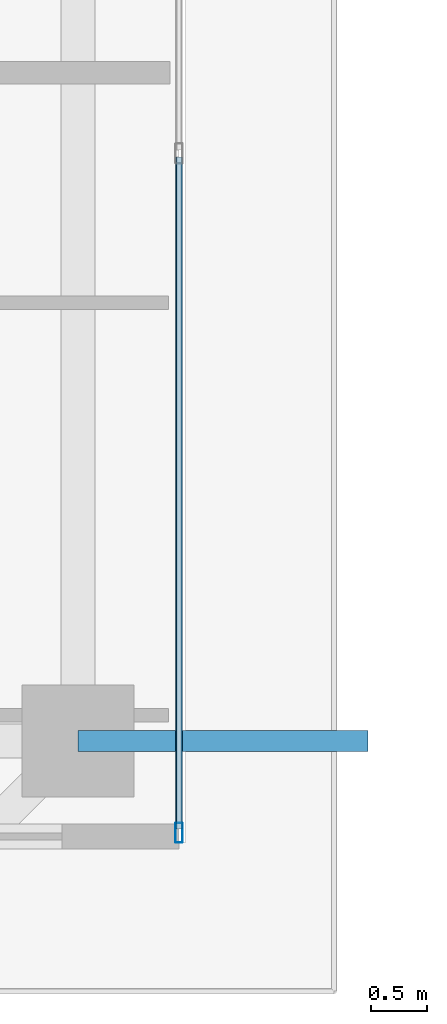
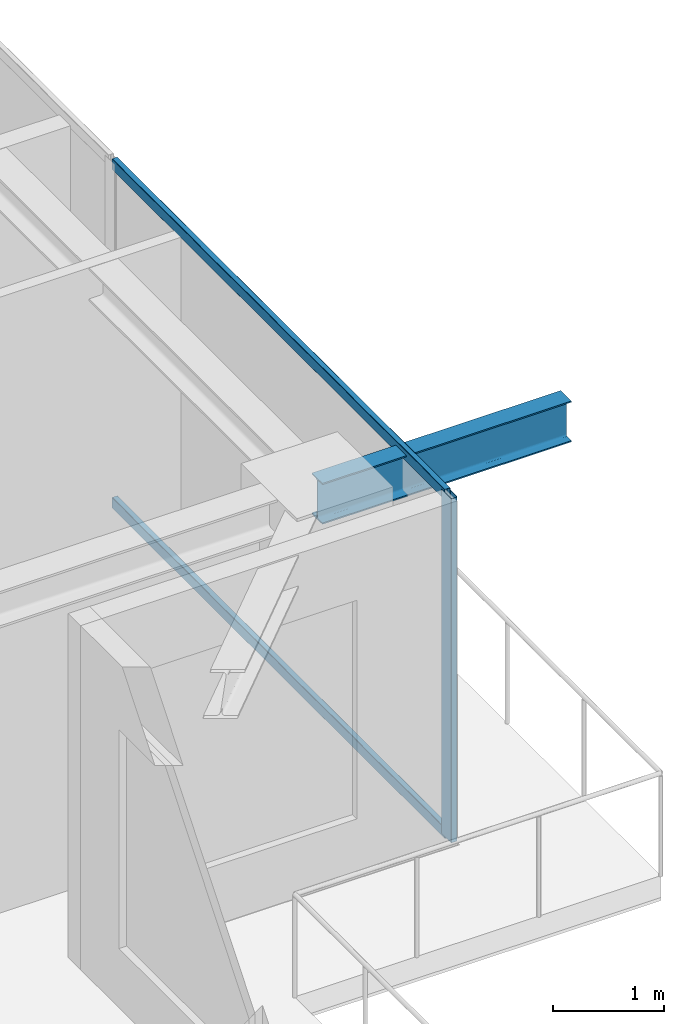
# One storey, part 13 of 38: 3 members, 1 beam, 1 element without a shape of its own.
"""IFC4 building model written with IfcOpenShell, lengths in metres."""

from ifc_helpers import new_model, si_unit, direction, frame, origin, origin_2d, place, context, subcontext, project, spatial, hollow_rectangle, i_section, extrude, source, transform, mapped, material, layer, layer_set, material_profile, profile_set, type_object, element, aggregate, save


model = new_model("IFC4")

# Units and contexts
model_context = context("Model", 3, precision=1e-05, world=origin(), true_north=direction((0.0, 1.0)))
body_context = subcontext(model_context, "Body", "Model", "MODEL_VIEW")
ifc_project = project(units=[si_unit("LENGTHUNIT", "METRE"), si_unit("AREAUNIT", "SQUARE_METRE"), si_unit("VOLUMEUNIT", "CUBIC_METRE"), si_unit("PLANEANGLEUNIT", "RADIAN"), si_unit("MASSUNIT", "GRAM", prefix="KILO")], contexts=[model_context])

# Site, building, storey
site_placement = place(None, origin())
site = spatial("IfcSite", under=ifc_project, at=site_placement, CompositionType="ELEMENT")
building_placement = place(site_placement, origin())
building = spatial("IfcBuilding", under=site, at=building_placement, Name="Serunith Strait Residences", CompositionType="ELEMENT")
storey_placement = place(building_placement, frame((0.0, 0.0, 321.800048828125)))
storey = spatial("IfcBuildingStorey", under=building, at=storey_placement, Name="L80", CompositionType="ELEMENT", Elevation=321.800048828125)

# Beam
ifc_material_1 = material(Name="Steel S355J2", Category="steel")
ifc_material_profile_1 = material_profile(ifc_material_1, i_section(OverallWidth=0.18994140625, OverallDepth=0.449951171875, WebThickness=0.009521484375, FlangeThickness=0.0146484375, FilletRadius=0.02099609375, at=origin_2d()), Name="IPE 450")
ifc_profile_set_1 = profile_set([ifc_material_profile_1], Name="Steel S355J2")
beam_type = type_object("IfcBeamType", Name="BM-IPE450", PredefinedType="JOIST", material=ifc_profile_set_1)
shared_shape_1 = source(origin(), body_context, "Body", "SweptSolid", [
    extrude(i_section(OverallWidth=0.18994140625, OverallDepth=0.449951171875, WebThickness=0.009521484375, FlangeThickness=0.0146484375, FilletRadius=0.02099609375, at=origin_2d()), origin(), (0.0, 0.0, 1.0), 2.582763671875),
])
beam_placement = place(storey_placement, frame((54.699951171875, 10.85009765625, 3.531982421875), z_axis=(1.0, 0.0, 0.0), x_axis=(0.0, 1.0, 0.0)))
element("IfcBeam", 1, at=beam_placement, inside=storey, type_object=beam_type, Name="L81 Cantilevered Balcony Rib TC-E1", PredefinedType="JOIST", context=body_context, shape_type="MappedRepresentation", body=[
    mapped(shared_shape_1, transform((0.0, 0.0, 0.0), scale=1.0)),
])

# Curtain wall, members
ifc_material_2 = material(Name="Brushed Stainless-Silver Aluminium", Category="aluminium")
ifc_layer = layer(ifc_material_2, 0.199951171875, Name="Brushed Stainless-Silver Aluminium")
ifc_layer_set = layer_set([ifc_layer], Name="Brushed Stainless-Silver Aluminium")
curtain_wall_type = type_object("IfcCurtainWallType", Name="CW-SYS5", PredefinedType="NOTDEFINED", material=ifc_layer_set)
curtain_wall_placement = place(storey_placement, origin())
curtain_wall = element("IfcCurtainWall", 2, at=curtain_wall_placement, inside=storey, type_object=curtain_wall_type, Name="L80 E Unitised Fritted Curtain Wall", PredefinedType="NOTDEFINED")
ifc_material_profile_2 = material_profile(ifc_material_2, hollow_rectangle(XDim=0.06005859375, YDim=0.1201171875, WallThickness=0.00341796875, InnerFilletRadius=0.00537109375, OuterFilletRadius=0.0087890625, at=origin_2d()), Name="ALU 120x60x3.5")
ifc_profile_set_2 = profile_set([ifc_material_profile_2], Name="Brushed Stainless-Silver Aluminium")
member_type_1 = type_object("IfcMemberType", Name="CW-SYS5-TRAN", PredefinedType="USERDEFINED", material=ifc_profile_set_2)
shared_shape_2 = source(origin(), body_context, "Body", "SweptSolid", [
    extrude(hollow_rectangle(XDim=0.06005859375, YDim=0.1201171875, WallThickness=0.00341796875, InnerFilletRadius=0.00537109375, OuterFilletRadius=0.0087890625, at=origin_2d()), origin(), (0.0, 0.0, 1.0), 5.982666015625),
])
member_1_placement = place(storey_placement, frame((55.60009765625, 10.06494140625, 0.030029296875), z_axis=(0.0, 1.0, 0.0), x_axis=(-1.0, 0.0, 0.0)))
member_1 = element("IfcMember", 3, at=member_1_placement, type_object=member_type_1, Name="CW-5 transom 1.1", ObjectType="TRANSOM", PredefinedType="USERDEFINED", context=body_context, shape_type="MappedRepresentation", body=[
    mapped(shared_shape_2, transform((0.0, 0.0, 0.0), scale=1.0)),
])
member_2_placement = place(storey_placement, frame((55.60009765625, 10.06494140625, 3.744873046875), z_axis=(0.0, 1.0, 0.0), x_axis=(-1.0, 0.0, 0.0)))
member_2 = element("IfcMember", 4, at=member_2_placement, type_object=member_type_1, Name="CW-5 transom 1.2", ObjectType="TRANSOM", PredefinedType="USERDEFINED", context=body_context, shape_type="MappedRepresentation", body=[
    mapped(shared_shape_2, transform((0.0, 0.0, 0.0), scale=1.0)),
])
ifc_material_profile_3 = material_profile(ifc_material_2, hollow_rectangle(XDim=0.06494140625, YDim=0.179931640625, WallThickness=0.00341796875, InnerFilletRadius=0.00537109375, OuterFilletRadius=0.0087890625, at=origin_2d()), Name="ALU 180x65x3.5")
ifc_profile_set_3 = profile_set([ifc_material_profile_3], Name="Brushed Stainless-Silver Aluminium")
member_type_2 = type_object("IfcMemberType", Name="CW-SYS5-MULL", PredefinedType="MULLION", material=ifc_profile_set_3)
shared_shape_3 = source(origin(), body_context, "Body", "SweptSolid", [
    extrude(hollow_rectangle(XDim=0.06494140625, YDim=0.179931640625, WallThickness=0.00341796875, InnerFilletRadius=0.00537109375, OuterFilletRadius=0.0087890625, at=origin_2d()), origin(), (0.0, 0.0, 1.0), 3.77490234375),
])
member_3_placement = place(storey_placement, frame((55.60009765625, 10.032470703125, 0.0), z_axis=(0.0, 0.0, 1.0), x_axis=(-1.0, 0.0, 0.0)))
member_3 = element("IfcMember", 5, at=member_3_placement, type_object=member_type_2, Name="CW-5 mullion 1", PredefinedType="MULLION", context=body_context, shape_type="MappedRepresentation", body=[
    mapped(shared_shape_3, transform((0.0, 0.0, 0.0), scale=1.0)),
])
aggregate(curtain_wall, [member_3, member_1, member_2])

save(model, "model.ifc")
